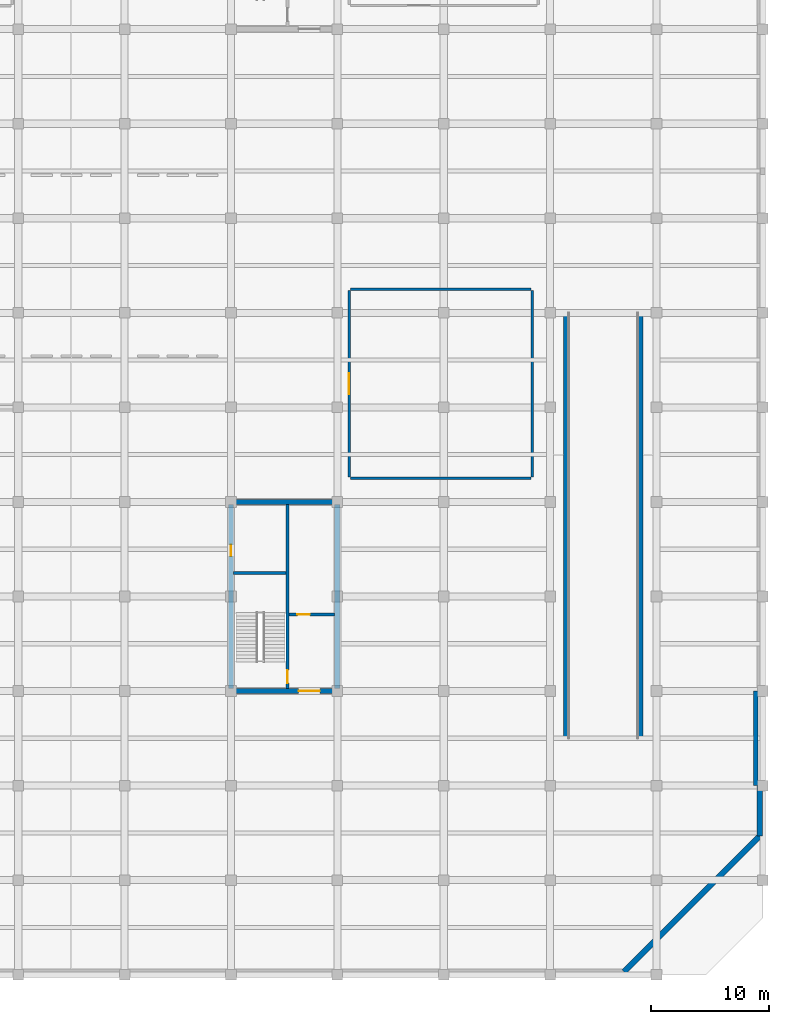
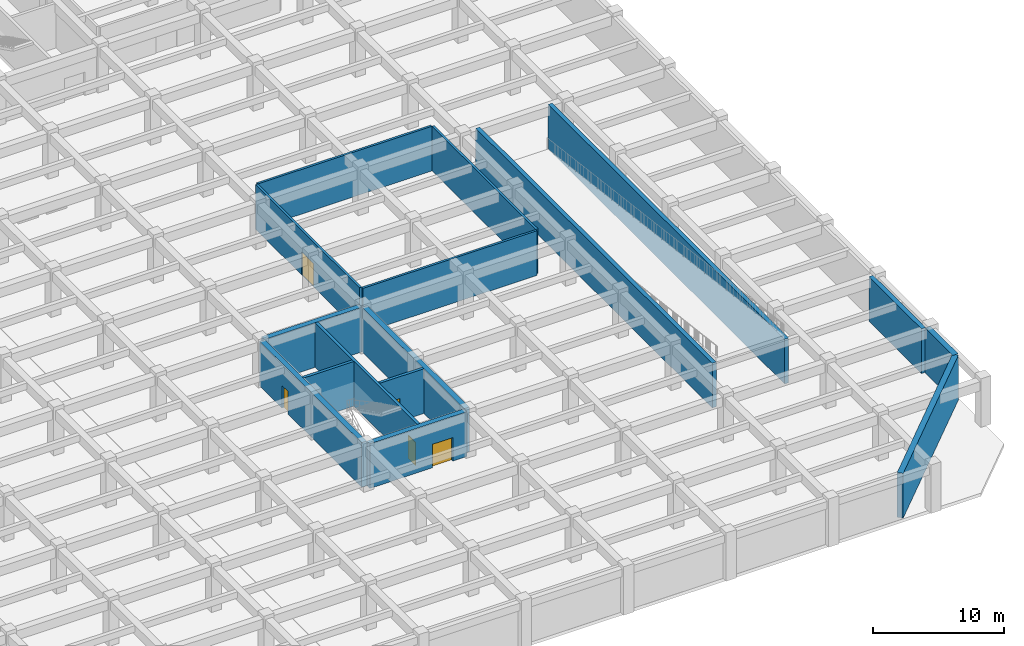
# One storey, part 16 of 26: 16 walls, 5 doors, 5 openings.
"""IFC4 building model written with IfcOpenShell, lengths in metres."""

from ifc_helpers import new_model, si_unit, direction, frame, frame_2d, origin, place, context, subcontext, project, spatial, rectangle, extrude, material, layer, layer_set, type_object, element, fill, save


model = new_model("IFC4")

# Units and contexts
model_context = context("Model", 3, precision=1e-05, world=origin(), true_north=direction((0.0, 1.0)))
body_context = subcontext(model_context, "Body", "Model", "MODEL_VIEW")
ifc_project = project(units=[si_unit("LENGTHUNIT", "METRE"), si_unit("AREAUNIT", "SQUARE_METRE"), si_unit("VOLUMEUNIT", "CUBIC_METRE"), si_unit("PLANEANGLEUNIT", "RADIAN"), si_unit("MASSUNIT", "GRAM", prefix="KILO")], contexts=[model_context])

# Site, building, storey
site_placement = place(None, origin())
site = spatial("IfcSite", under=ifc_project, at=site_placement, CompositionType="ELEMENT")
building_placement = place(site_placement, origin())
building = spatial("IfcBuilding", under=site, at=building_placement, Name="Zaverband Oceanarium and Marine Research Institute", CompositionType="ELEMENT")
storey_placement = place(building_placement, frame((0.0, 0.0, -4.5)))
storey = spatial("IfcBuildingStorey", under=building, at=storey_placement, Name="B1", CompositionType="ELEMENT", Elevation=-4.5)

# Wall, opening, door
ifc_material_1 = material(Name="Concrete C50/60", Category="concrete")
ifc_layer_1 = layer(ifc_material_1, 0.449951171875, Name="Concrete C50/60")
ifc_layer_set_1 = layer_set([ifc_layer_1], Name="Concrete C50/60")
wall_type_1 = type_object("IfcWallType", Name="CW-02", PredefinedType="SHEAR", material=ifc_layer_set_1)
wall_1_placement = place(storey_placement, frame((135.22509765625, 24.0, 0.0), z_axis=(0.0, 0.0, 1.0), x_axis=(1.0, 0.0, 0.0)))
wall_1 = element("IfcWall", 1, at=wall_1_placement, inside=storey, type_object=wall_type_1, Name="Structural shear wall CW-02", PredefinedType="SHEAR", context=body_context, shape_type="SweptSolid", body=[
    extrude(rectangle(XDim=8.5498046875, YDim=0.449951171875, at=frame_2d((4.27490234375, 0.0))), origin(), (0.0, 0.0, 1.0), 4.14990234375),
])
opening_1_placement = place(wall_1_placement, frame((5.5, 0.0, 0.0)))
opening_1 = element("IfcOpeningElement", 2, at=opening_1_placement, cuts=wall_1, Name="Opening FD-02", PredefinedType="OPENING", context=body_context, shape_type="SweptSolid", body=[
    extrude(rectangle(XDim=1.800048828125, YDim=2.179931640625, at=frame_2d((0.89990234375, 1.08984375))), frame((0.0, 0.23681640625, 0.0), z_axis=(0.0, -1.0, 0.0), x_axis=(1.0, 0.0, 0.0)), (0.0, 0.0, 1.0), 0.473876953125),
])
ifc_material_2 = material(Name="Steel S355", Category="steel")
door_type_1 = type_object("IfcDoorType", Name="FD-02", OperationType="DOUBLE_DOOR_SINGLE_SWING", PredefinedType="DOOR", material=ifc_material_2)
door_1_placement = place(opening_1_placement, origin())
door_1 = element("IfcDoor", 3, at=door_1_placement, inside=storey, type_object=door_type_1, Name="Protected lobby double fire door FD-02", OperationType="DOUBLE_DOOR_SINGLE_SWING", OverallHeight=2.179931640625, OverallWidth=1.800048828125, PredefinedType="DOOR", context=body_context, shape_type="SweptSolid", body=[
    extrude(rectangle(XDim=1.800048828125, YDim=2.179931640625, at=frame_2d((0.89990234375, 1.08984375))), frame((0.0, 0.02490234375, 0.0), z_axis=(0.0, -1.0, 0.0), x_axis=(1.0, 0.0, 0.0)), (0.0, 0.0, 1.0), 0.050048828125),
])
fill(opening_1, door_1)

# Wall
wall_2_placement = place(storey_placement, frame((135.22509765625, 40.0, 0.0), z_axis=(0.0, 0.0, 1.0), x_axis=(1.0, 0.0, 0.0)))
element("IfcWall", 4, at=wall_2_placement, inside=storey, type_object=wall_type_1, Name="Structural shear wall CW-02", PredefinedType="SHEAR", context=body_context, shape_type="SweptSolid", body=[
    extrude(rectangle(XDim=8.5498046875, YDim=0.449951171875, at=frame_2d((4.27490234375, 0.0))), origin(), (0.0, 0.0, 1.0), 4.14990234375),
])

# Wall, opening, door
wall_3_placement = place(storey_placement, frame((135.0, 24.22509765625, 0.0), z_axis=(0.0, 0.0, 1.0), x_axis=(0.0, 1.0, 0.0)))
wall_3 = element("IfcWall", 5, at=wall_3_placement, inside=storey, type_object=wall_type_1, Name="Structural shear wall CW-02", PredefinedType="SHEAR", context=body_context, shape_type="SweptSolid", body=[
    extrude(rectangle(XDim=15.5498046875, YDim=0.449951171875, at=frame_2d((7.77490234375, 0.0))), origin(), (0.0, 0.0, 1.0), 4.14990234375),
])
opening_2_placement = place(wall_3_placement, frame((11.199951171875, 0.0, 0.0)))
opening_2 = element("IfcOpeningElement", 6, at=opening_2_placement, cuts=wall_3, Name="Opening FD-03", PredefinedType="OPENING", context=body_context, shape_type="SweptSolid", body=[
    extrude(rectangle(XDim=0.949951171875, YDim=2.10009765625, at=frame_2d((0.47509765625, 1.050048828125))), frame((0.0, 0.23681640625, 0.0), z_axis=(0.0, -1.0, 0.0), x_axis=(1.0, 0.0, 0.0)), (0.0, 0.0, 1.0), 0.473876953125),
])
door_type_2 = type_object("IfcDoorType", Name="FD-03", OperationType="NOTDEFINED", PredefinedType="DOOR", material=ifc_material_2)
door_2_placement = place(opening_2_placement, origin())
door_2 = element("IfcDoor", 7, at=door_2_placement, inside=storey, type_object=door_type_2, Name="Service riser access fire door FD-03", OperationType="SINGLE_SWING_RIGHT", OverallHeight=2.10009765625, OverallWidth=0.949951171875, PredefinedType="DOOR", context=body_context, shape_type="SweptSolid", body=[
    extrude(rectangle(XDim=0.949951171875, YDim=2.10009765625, at=frame_2d((0.47509765625, 1.050048828125))), frame((0.0, 0.02490234375, 0.0), z_axis=(0.0, -1.0, 0.0), x_axis=(1.0, 0.0, 0.0)), (0.0, 0.0, 1.0), 0.050048828125),
])
fill(opening_2, door_2)

# Walls
wall_4_placement = place(storey_placement, frame((144.0, 24.22509765625, 0.0), z_axis=(0.0, 0.0, 1.0), x_axis=(0.0, 1.0, 0.0)))
element("IfcWall", 8, at=wall_4_placement, inside=storey, type_object=wall_type_1, Name="Structural shear wall CW-02", PredefinedType="SHEAR", context=body_context, shape_type="SweptSolid", body=[
    extrude(rectangle(XDim=15.5498046875, YDim=0.449951171875, at=frame_2d((7.77490234375, 0.0))), origin(), (0.0, 0.0, 1.0), 4.14990234375),
])
ifc_material_3 = material(Name="Fire-rated masonry compartment wall", Category="masonry")
ifc_layer_2 = layer(ifc_material_3, 0.199951171875, Name="Fire-rated masonry compartment wall")
ifc_layer_set_2 = layer_set([ifc_layer_2], Name="Fire-rated masonry compartment wall")
wall_type_2 = type_object("IfcWallType", Name="PT-200-FR", PredefinedType="PARTITIONING", material=ifc_layer_set_2)
for number, where, z_axis, x_axis, name in (
    (9, (145.10009765625, 42.0, 0.0), (0.0, 0.0, 1.0), (1.0, 0.0, 0.0), "Internal partition PT-200-FR"),
    (10, (145.10009765625, 58.0, 0.0), (0.0, 0.0, 1.0), (1.0, 0.0, 0.0), "Internal partition PT-200-FR"),
):
    element("IfcWall", number, at=place(storey_placement, frame(where, z_axis=z_axis, x_axis=x_axis)), inside=storey, type_object=wall_type_2, Name=name, PredefinedType="PARTITIONING", context=body_context, shape_type="SweptSolid", body=[
        extrude(rectangle(XDim=15.2998046875, YDim=0.199951171875, at=frame_2d((7.64990234375, 0.0))), origin(), (0.0, 0.0, 1.0), 4.14990234375),
    ])

# Wall, opening, door
wall_5_placement = place(storey_placement, frame((145.0, 42.10009765625, 0.0), z_axis=(0.0, 0.0, 1.0), x_axis=(0.0, 1.0, 0.0)))
wall_5 = element("IfcWall", 11, at=wall_5_placement, inside=storey, type_object=wall_type_2, Name="Internal partition PT-200-FR", PredefinedType="PARTITIONING", context=body_context, shape_type="SweptSolid", body=[
    extrude(rectangle(XDim=15.7998046875, YDim=0.199951171875, at=frame_2d((7.89990234375, 0.0))), origin(), (0.0, 0.0, 1.0), 4.14990234375),
])
opening_3_placement = place(wall_5_placement, frame((7.010009765625, 0.0, 0.0)))
opening_3 = element("IfcOpeningElement", 12, at=opening_3_placement, cuts=wall_5, Name="Opening ID-1780x2160", PredefinedType="OPENING", context=body_context, shape_type="SweptSolid", body=[
    extrude(rectangle(XDim=1.780029296875, YDim=2.159912109375, at=frame_2d((0.89013671875, 1.080078125))), frame((0.0, 0.11181640625, 0.0), z_axis=(0.0, -1.0, 0.0), x_axis=(1.0, 0.0, 0.0)), (0.0, 0.0, 1.0), 0.223876953125),
])
door_type_3 = type_object("IfcDoorType", Name="ID-1780x2160", OperationType="DOUBLE_DOOR_SINGLE_SWING", PredefinedType="DOOR", material=ifc_material_2)
door_3_placement = place(opening_3_placement, origin())
door_3 = element("IfcDoor", 13, at=door_3_placement, inside=storey, type_object=door_type_3, Name="Chiller plant double door ID-1780x2160", OperationType="DOUBLE_DOOR_SINGLE_SWING", OverallHeight=2.159912109375, OverallWidth=1.780029296875, PredefinedType="DOOR", context=body_context, shape_type="SweptSolid", body=[
    extrude(rectangle(XDim=1.780029296875, YDim=2.159912109375, at=frame_2d((0.89013671875, 1.080078125))), frame((0.0, 0.02490234375, 0.0), z_axis=(0.0, -1.0, 0.0), x_axis=(1.0, 0.0, 0.0)), (0.0, 0.0, 1.0), 0.050048828125),
])
fill(opening_3, door_3)

# Wall
wall_6_placement = place(storey_placement, frame((160.5, 42.10009765625, 0.0), z_axis=(0.0, 0.0, 1.0), x_axis=(0.0, 1.0, 0.0)))
element("IfcWall", 14, at=wall_6_placement, inside=storey, type_object=wall_type_2, Name="Internal partition PT-200-FR", PredefinedType="PARTITIONING", context=body_context, shape_type="SweptSolid", body=[
    extrude(rectangle(XDim=15.7998046875, YDim=0.199951171875, at=frame_2d((7.89990234375, 0.0))), origin(), (0.0, 0.0, 1.0), 4.14990234375),
])

# Wall, opening, door
ifc_layer_3 = layer(ifc_material_1, 0.25, Name="Concrete C50/60")
ifc_layer_set_3 = layer_set([ifc_layer_3], Name="Concrete C50/60")
wall_type_3 = type_object("IfcWallType", Name="PW-CORE-250", PredefinedType="SOLIDWALL", material=ifc_layer_set_3)
wall_7_placement = place(storey_placement, frame((139.77490234375, 24.22509765625, 0.0), z_axis=(0.0, 0.0, 1.0), x_axis=(0.0, 1.0, 0.0)))
wall_7 = element("IfcWall", 15, at=wall_7_placement, inside=storey, type_object=wall_type_3, Name="Structural concrete wall PW-CORE-250", PredefinedType="SOLIDWALL", context=body_context, shape_type="SweptSolid", body=[
    extrude(rectangle(XDim=15.5498046875, YDim=0.25, at=frame_2d((7.77490234375, 0.0))), origin(), (0.0, 0.0, 1.0), 4.14990234375),
])
opening_4_placement = place(wall_7_placement, frame((0.449951171875, 0.0, 0.0)))
opening_4 = element("IfcOpeningElement", 16, at=opening_4_placement, cuts=wall_7, Name="Opening FD-01", PredefinedType="OPENING", context=body_context, shape_type="SweptSolid", body=[
    extrude(rectangle(XDim=1.10009765625, YDim=2.14990234375, at=frame_2d((0.550048828125, 1.074951171875))), frame((0.0, 0.136962890625, 0.0), z_axis=(0.0, -1.0, 0.0), x_axis=(1.0, 0.0, 0.0)), (0.0, 0.0, 1.0), 0.27392578125),
])
door_type_4 = type_object("IfcDoorType", Name="FD-01", OperationType="NOTDEFINED", PredefinedType="DOOR", material=ifc_material_2)
door_4_placement = place(opening_4_placement, origin())
door_4 = element("IfcDoor", 17, at=door_4_placement, inside=storey, type_object=door_type_4, Name="Core stair / lobby fire door FD-01", OperationType="SINGLE_SWING_RIGHT", OverallHeight=2.14990234375, OverallWidth=1.10009765625, PredefinedType="DOOR", context=body_context, shape_type="SweptSolid", body=[
    extrude(rectangle(XDim=1.10009765625, YDim=2.14990234375, at=frame_2d((0.550048828125, 1.074951171875))), frame((0.0, 0.02490234375, 0.0), z_axis=(0.0, -1.0, 0.0), x_axis=(1.0, 0.0, 0.0)), (0.0, 0.0, 1.0), 0.050048828125),
])
fill(opening_4, door_4)

# Wall
wall_8_placement = place(storey_placement, frame((135.22509765625, 33.97509765625, 0.0), z_axis=(0.0, 0.0, 1.0), x_axis=(1.0, 0.0, 0.0)))
element("IfcWall", 18, at=wall_8_placement, inside=storey, type_object=wall_type_3, Name="Structural concrete wall PW-CORE-250", PredefinedType="SOLIDWALL", context=body_context, shape_type="SweptSolid", body=[
    extrude(rectangle(XDim=4.419921875, YDim=0.25, at=frame_2d((2.2099609375, 0.0))), origin(), (0.0, 0.0, 1.0), 4.14990234375),
])

# Wall, opening, door
wall_9_placement = place(storey_placement, frame((139.905029296875, 30.47509765625, 0.0), z_axis=(0.0, 0.0, 1.0), x_axis=(1.0, 0.0, 0.0)))
wall_9 = element("IfcWall", 19, at=wall_9_placement, inside=storey, type_object=wall_type_3, Name="Structural concrete wall PW-CORE-250", PredefinedType="SOLIDWALL", context=body_context, shape_type="SweptSolid", body=[
    extrude(rectangle(XDim=3.869873046875, YDim=0.25, at=frame_2d((1.93505859375, 0.0))), origin(), (0.0, 0.0, 1.0), 4.14990234375),
])
opening_5_placement = place(wall_9_placement, frame((0.719970703125, 0.0, 0.0)))
opening_5 = element("IfcOpeningElement", 20, at=opening_5_placement, cuts=wall_9, Name="Opening LD-02", PredefinedType="OPENING", context=body_context, shape_type="SweptSolid", body=[
    extrude(rectangle(XDim=1.050048828125, YDim=2.1201171875, at=frame_2d((0.52490234375, 1.06005859375))), frame((0.0, 0.136962890625, 0.0), z_axis=(0.0, -1.0, 0.0), x_axis=(1.0, 0.0, 0.0)), (0.0, 0.0, 1.0), 0.27392578125),
])
door_type_5 = type_object("IfcDoorType", Name="LD-02", OperationType="DOUBLE_DOOR_SLIDING", PredefinedType="DOOR", material=ifc_material_2)
door_5_placement = place(opening_5_placement, origin())
door_5 = element("IfcDoor", 21, at=door_5_placement, inside=storey, type_object=door_type_5, Name="Passenger lift sliding landing door LD-02", OperationType="DOUBLE_DOOR_SLIDING", OverallHeight=2.1201171875, OverallWidth=1.050048828125, PredefinedType="DOOR", context=body_context, shape_type="SweptSolid", body=[
    extrude(rectangle(XDim=1.050048828125, YDim=2.1201171875, at=frame_2d((0.52490234375, 1.06005859375))), frame((0.0, 0.02490234375, 0.0), z_axis=(0.0, -1.0, 0.0), x_axis=(1.0, 0.0, 0.0)), (0.0, 0.0, 1.0), 0.050048828125),
])
fill(opening_5, door_5)

# Walls
ifc_material_4 = material(Name="Concrete C45/55", Category="concrete")
ifc_layer_4 = layer(ifc_material_4, 0.47998046875, Name="Concrete C45/55")
ifc_layer_set_4 = layer_set([ifc_layer_4], Name="Concrete C45/55")
wall_type_4 = type_object("IfcWallType", Name="RW-01", PredefinedType="SHEAR", material=ifc_layer_set_4)
wall_10_placement = place(storey_placement, frame((168.25, 0.25, 0.0), z_axis=(0.0, 0.0, 1.0), x_axis=(0.707106781187, 0.707106781187, 0.0)))
element("IfcWall", 22, at=wall_10_placement, inside=storey, type_object=wall_type_4, Name="Basement retaining wall RW-01", PredefinedType="SHEAR", context=body_context, shape_type="SweptSolid", body=[
    extrude(rectangle(XDim=16.263427734375, YDim=0.47998046875, at=frame_2d((8.1318359375, 0.0))), origin(), (0.0, 0.0, 1.0), 4.14990234375),
])
wall_11_placement = place(storey_placement, frame((179.75, 11.75, 0.0), z_axis=(0.0, 0.0, 1.0), x_axis=(0.0, 1.0, 0.0)))
element("IfcWall", 23, at=wall_11_placement, inside=storey, type_object=wall_type_4, Name="Basement retaining wall RW-01", PredefinedType="SHEAR", context=body_context, shape_type="SweptSolid", body=[
    extrude(rectangle(XDim=4.25, YDim=0.47998046875, at=frame_2d((2.125, 0.0))), origin(), (0.0, 0.0, 1.0), 4.14990234375),
])
ifc_material_5 = material(Name="Concrete C40/50", Category="concrete")
ifc_layer_5 = layer(ifc_material_5, 0.360107421875, Name="Concrete C40/50")
ifc_layer_set_5 = layer_set([ifc_layer_5], Name="Concrete C40/50")
wall_type_5 = type_object("IfcWallType", Name="SCW-01", PredefinedType="SOLIDWALL", material=ifc_layer_set_5)
for number, where, z_axis, x_axis, name in (
    (24, (163.320068359375, 20.0, 0.0), (0.0, 0.0, 1.0), (0.0, 1.0, 0.0), "Structural concrete wall SCW-01"),
    (25, (169.679931640625, 20.0, 0.0), (0.0, 0.0, 1.0), (0.0, 1.0, 0.0), "Structural concrete wall SCW-01"),
):
    element("IfcWall", number, at=place(storey_placement, frame(where, z_axis=z_axis, x_axis=x_axis)), inside=storey, type_object=wall_type_5, Name=name, PredefinedType="SOLIDWALL", context=body_context, shape_type="SweptSolid", body=[
        extrude(rectangle(XDim=36.0, YDim=0.360107421875, at=frame_2d((18.0, 0.0))), origin(), (0.0, 0.0, 1.0), 4.14990234375),
    ])
ifc_layer_6 = layer(ifc_material_1, 0.3798828125, Name="Concrete C50/60")
ifc_layer_set_6 = layer_set([ifc_layer_6], Name="Concrete C50/60")
wall_type_6 = type_object("IfcWallType", Name="SW-02", PredefinedType="SHEAR", material=ifc_layer_set_6)
wall_12_placement = place(storey_placement, frame((179.39990234375, 16.0, 0.0), z_axis=(0.0, 0.0, 1.0), x_axis=(0.0, 1.0, 0.0)))
element("IfcWall", 26, at=wall_12_placement, inside=storey, type_object=wall_type_6, Name="Structural shear wall SW-02", PredefinedType="SHEAR", context=body_context, shape_type="SweptSolid", body=[
    extrude(rectangle(XDim=8.0, YDim=0.3798828125, at=frame_2d((4.0, 0.0))), origin(), (0.0, 0.0, 1.0), 4.14990234375),
])

save(model, "model.ifc")
